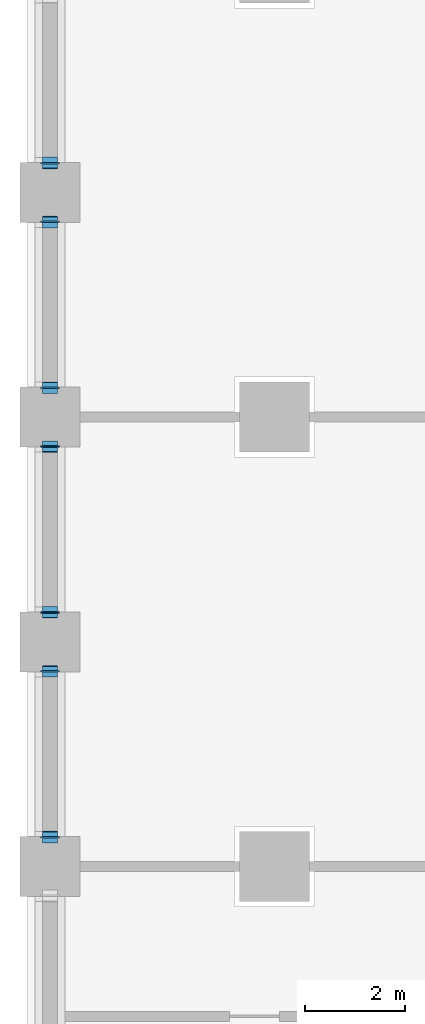
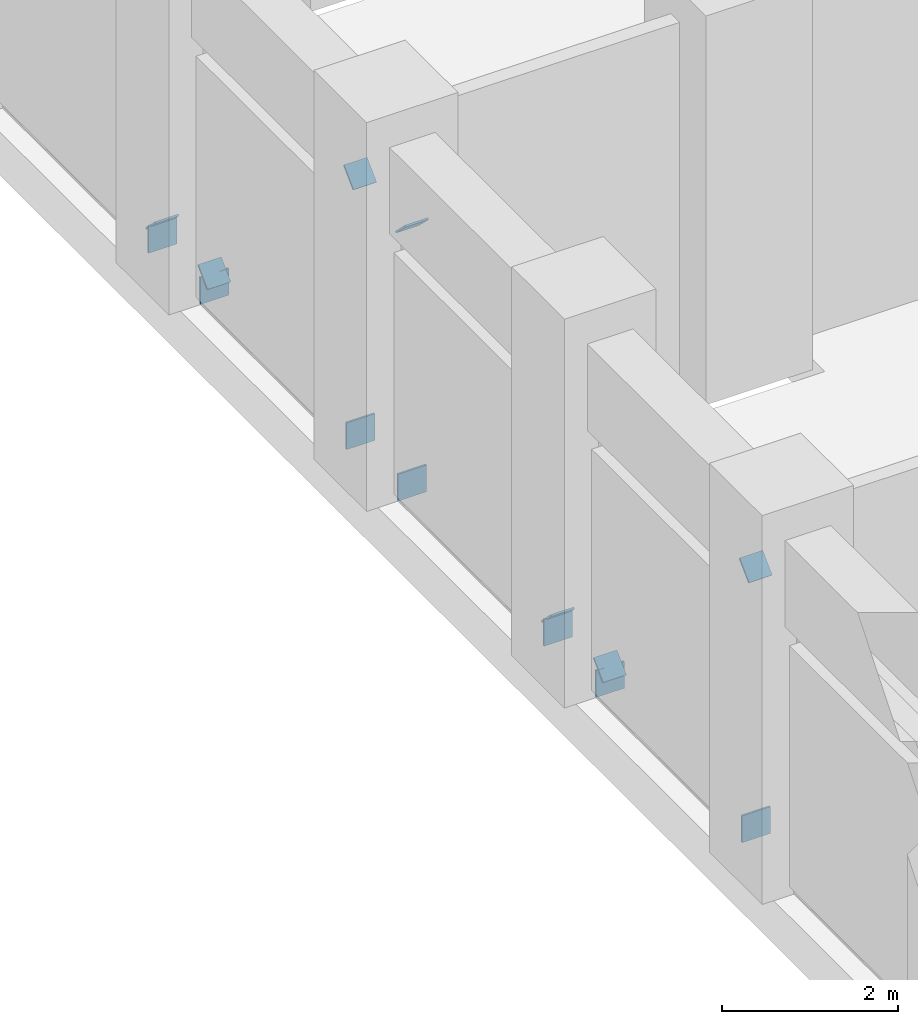
# One storey, part 9 of 20: 14 discrete accessories.
"""IFC4 building model written with IfcOpenShell, lengths in metres."""

import ifcopenshell
import ifcopenshell.guid

model = None  # the IFC model being written
_history = None  # IfcOwnerHistory: only IFC2X3 demands one
_inside = {}  # id of a spatial element -> (the spatial element, [elements in it])
_under = {}  # id of a project, library or spatial element -> (it, [spatial elements below it])
_declared = {}  # id of a project -> (the project, [libraries it declares])
_typed = {}  # id of a type object -> (the type object, [elements of that type])
_made_of = {}  # id of a material, layer set ... -> (it, [elements and type objects made of it])


def new_model(schema):
    """Start an empty IFC model of exactly this schema.

    Asked for "IFC4X3", IfcOpenShell would pick the latest addendum, in which some entities
    have other attributes; the version numbers below select the first issue.
    IFC2X3 requires an IfcOwnerHistory on every rooted entity: one is made here for all.
    """
    global model, _history
    if schema == "IFC4X3":
        model = ifcopenshell.file(schema_version=(4, 3, 0, 0))
    else:
        model = ifcopenshell.file(schema=schema)
    _inside.clear()
    _under.clear()
    _declared.clear()
    _typed.clear()
    _made_of.clear()
    _history = None
    if model.schema == "IFC2X3":
        org = make("IfcOrganization", Name="unknown")
        user = make(
            "IfcPersonAndOrganization",
            ThePerson=make("IfcPerson", FamilyName="unknown"),
            TheOrganization=org,
        )
        app = make(
            "IfcApplication",
            ApplicationDeveloper=org,
            Version="unknown",
            ApplicationFullName="unknown",
            ApplicationIdentifier="unknown",
        )
        _history = make(
            "IfcOwnerHistory",
            OwningUser=user,
            OwningApplication=app,
            ChangeAction="ADDED",
            CreationDate=0,
        )
    return model


def make(cls, **values):
    """One entity of the class cls with the attributes given. An attribute that is None is left unset."""
    return model.create_entity(
        cls, **{name: value for name, value in values.items() if value is not None}
    )


def rooted(cls, **values):
    """An entity with a GlobalId (a new one), such as an element, a storey or a relation."""
    return make(cls, GlobalId=ifcopenshell.guid.new(), OwnerHistory=_history, **values)


def si_unit(unit_type, name, prefix=None):
    """IfcSIUnit, for example si_unit("LENGTHUNIT", "METRE", prefix="MILLI")."""
    return make("IfcSIUnit", UnitType=unit_type, Prefix=prefix, Name=name)


def assignment(units):
    """IfcUnitAssignment: the units of a project."""
    return None if units is None else make("IfcUnitAssignment", Units=units)


def point(xyz):
    """IfcCartesianPoint."""
    return None if xyz is None else make("IfcCartesianPoint", Coordinates=xyz)


def direction(xyz):
    """IfcDirection."""
    return None if xyz is None else make("IfcDirection", DirectionRatios=xyz)


def frame(location, z_axis=None, x_axis=None):
    """IfcAxis2Placement3D, a coordinate frame: its origin and axes. An axis left out is left unset."""
    return make(
        "IfcAxis2Placement3D",
        Location=point(location),
        Axis=direction(z_axis),
        RefDirection=direction(x_axis),
    )


def frame_2d(location, x_axis=None):
    """IfcAxis2Placement2D, a coordinate frame in the plane: its origin and x axis."""
    return make(
        "IfcAxis2Placement2D", Location=point(location), RefDirection=direction(x_axis)
    )


def origin():
    """The frame at (0, 0, 0) with its axes left unset."""
    return frame((0.0, 0.0, 0.0))


def origin_2d():
    """The frame at (0, 0) in the plane with its x axis left unset."""
    return frame_2d((0.0, 0.0))


def place(relative_to, where):
    """IfcLocalPlacement: puts the frame where relative to a parent placement (None: the world)."""
    return make(
        "IfcLocalPlacement", PlacementRelTo=relative_to, RelativePlacement=where
    )


def context(
    kind, dimensions, precision=None, world=None, true_north=None, identifier=None
):
    """IfcGeometricRepresentationContext, for example the 3D "Model" context."""
    return make(
        "IfcGeometricRepresentationContext",
        ContextIdentifier=identifier,
        ContextType=kind,
        CoordinateSpaceDimension=dimensions,
        Precision=precision,
        WorldCoordinateSystem=world,
        TrueNorth=true_north,
    )


def subcontext(parent, identifier, kind, view, scale=None):
    """IfcGeometricRepresentationSubContext, for example "Body" below "Model"."""
    return make(
        "IfcGeometricRepresentationSubContext",
        ContextIdentifier=identifier,
        ContextType=kind,
        ParentContext=parent,
        TargetScale=scale,
        TargetView=view,
    )


def project(units=None, contexts=None):
    """IfcProject with its units and contexts."""
    return rooted(
        "IfcProject",
        Name="project",
        RepresentationContexts=contexts,
        UnitsInContext=assignment(units),
    )


def spatial(cls, under=None, at=None, **own):
    """A site, building, storey or space (cls), placed at a placement, below another one or the project."""
    s = rooted(cls, ObjectPlacement=at, **own)
    if under is not None:
        _under.setdefault(under.id(), (under, []))[1].append(s)
    return s


def profile(cls, at=None, kind="AREA", **sizes):
    """A parametric profile (cls). Its sizes go by their IFC names, for example OverallWidth=200.0."""
    return make(cls, ProfileType=kind, Position=at, **sizes)


def rectangle(**sizes):
    """IfcRectangleProfileDef."""
    return profile("IfcRectangleProfileDef", **sizes)


def extrude(swept, where, along, depth):
    """IfcExtrudedAreaSolid: the profile swept, set in the frame where, extruded along a direction by depth."""
    return make(
        "IfcExtrudedAreaSolid",
        SweptArea=swept,
        Position=where,
        ExtrudedDirection=direction(along),
        Depth=depth,
    )


def shape(context_of_items, identifier, shape_type, items):
    """IfcShapeRepresentation: the items that make up one representation, for example the "Body"."""
    return make(
        "IfcShapeRepresentation",
        ContextOfItems=context_of_items,
        RepresentationIdentifier=identifier,
        RepresentationType=shape_type,
        Items=items,
    )


def material(Name=None, Category=None):
    """IfcMaterial."""
    return make("IfcMaterial", Name=Name, Category=Category)


def material_profile(
    of_material, cross_section, Name=None, Category=None, Priority=None
):
    """IfcMaterialProfile: a cross section and its material."""
    return make(
        "IfcMaterialProfile",
        Name=Name,
        Material=of_material,
        Profile=cross_section,
        Priority=Priority,
        Category=Category,
    )


def profile_set(profiles, Name=None, composite=None):
    """IfcMaterialProfileSet."""
    return make(
        "IfcMaterialProfileSet",
        Name=Name,
        MaterialProfiles=profiles,
        CompositeProfile=composite,
    )


def made_of(thing, what):
    """Note that an element or type object is made of a material, layer set ...; save() writes the relation."""
    if what is not None:
        _made_of.setdefault(what.id(), (what, []))[1].append(thing)
    return thing


def type_object(cls, material=None, **own):
    """A type object (cls), such as IfcWallType, which elements share."""
    return made_of(rooted(cls, **own), material)


def element(
    cls,
    number,
    at=None,
    inside=None,
    cuts=None,
    type_object=None,
    material=None,
    context=None,
    identifier="Body",
    shape_type=None,
    held_by="IfcProductDefinitionShape",
    body=None,
    shapes=None,
    **own,
):
    """One element of the class cls, such as IfcWall. Its Tag is "e" and its number.

    at: its placement. inside: the storey or other place that contains it. cuts: it is an
    opening in that element (IfcRelVoidsElement). A single representation is given by context,
    identifier, shape_type and body (its items); several are given by shapes. held_by: the class
    of the entity that holds the representations. save() writes the other relations.
    """
    e = rooted(cls, Tag="e%d" % number, ObjectPlacement=at, **own)
    if body is not None:
        shapes = [shape(context, identifier, shape_type, body)]
    if shapes is not None:
        e.Representation = make(held_by, Representations=shapes)
    if inside is not None:
        _inside.setdefault(inside.id(), (inside, []))[1].append(e)
    if cuts is not None:
        rooted(
            "IfcRelVoidsElement", RelatingBuildingElement=cuts, RelatedOpeningElement=e
        )
    if type_object is not None:
        _typed.setdefault(type_object.id(), (type_object, []))[1].append(e)
    return made_of(e, material)


def aggregate(whole, parts):
    """IfcRelAggregates: a whole, such as a stair, and the parts it consists of."""
    return rooted("IfcRelAggregates", RelatingObject=whole, RelatedObjects=parts)


def save(model, path):
    """Write the relations noted so far, then the file.

    IfcRelAggregates (storeys below a building ...), IfcRelContainedInSpatialStructure (elements
    in a storey), IfcRelDefinesByType, IfcRelAssociatesMaterial and IfcRelDeclares: one each for
    every whole, place, type object, material and project.
    """
    for whole, parts in _under.values():
        aggregate(whole, parts)
    for where, things in _inside.values():
        rooted(
            "IfcRelContainedInSpatialStructure",
            RelatedElements=things,
            RelatingStructure=where,
        )
    for kind, things in _typed.values():
        rooted("IfcRelDefinesByType", RelatedObjects=things, RelatingType=kind)
    for what, things in _made_of.values():
        rooted("IfcRelAssociatesMaterial", RelatedObjects=things, RelatingMaterial=what)
    for by, libraries in _declared.values():
        rooted("IfcRelDeclares", RelatingContext=by, RelatedDefinitions=libraries)
    model.write(path)


model = new_model("IFC4")

# Units and contexts
model_context = context("Model", 3, precision=1e-05, world=origin(), true_north=direction((0.0, 1.0)))
body_context = subcontext(model_context, "Body", "Model", "MODEL_VIEW")
ifc_project = project(units=[si_unit("LENGTHUNIT", "METRE"), si_unit("AREAUNIT", "SQUARE_METRE"), si_unit("VOLUMEUNIT", "CUBIC_METRE"), si_unit("PLANEANGLEUNIT", "RADIAN"), si_unit("MASSUNIT", "GRAM", prefix="KILO")], contexts=[model_context])

# Site, building, storey
site_placement = place(None, origin())
site = spatial("IfcSite", under=ifc_project, at=site_placement, CompositionType="ELEMENT")
building_placement = place(site_placement, origin())
building = spatial("IfcBuilding", under=site, at=building_placement, Name="Corbel Stack Research Tower", CompositionType="ELEMENT")
storey_placement = place(building_placement, frame((0.0, 0.0, 76.60009765625)))
storey = spatial("IfcBuildingStorey", under=building, at=storey_placement, Name="L17", CompositionType="ELEMENT", Elevation=76.60009765625)

# Discrete accessories
ifc_material_1 = material(Name="Steel S355", Category="steel")
ifc_material_profile_1 = material_profile(ifc_material_1, rectangle(XDim=0.304931640625, YDim=0.304931640625, at=origin_2d()), Name="End plate 305x305x25")
ifc_profile_set_1 = profile_set([ifc_material_profile_1], Name="Steel S355")
discrete_accessory_type_1 = type_object("IfcDiscreteAccessoryType", Name="End plate 305x305x25", PredefinedType="ANCHORPLATE", material=ifc_profile_set_1)
for number, where, z_axis, x_axis, name in (
    (1, (-22.5, 5.10009765625, 0.371826171875), (0.0, -0.702213483406, -0.711966448453), (1.0, 0.0, 0.0), "Belt truss end plate L17-36d1"),
    (2, (-22.5, 3.89990234375, 0.371826171875), (0.0, 0.702213483406, -0.711966448453), (-1.0, 0.0, 0.0), "Belt truss end plate L17-37d1"),
    (3, (-22.5, 0.60009765625, 3.75), (0.0, -0.702213483406, 0.711966448453), (1.0, 0.0, 0.0), "Belt truss end plate L17-37d2"),
    (4, (-22.5, -3.89990234375, 0.371826171875), (0.0, -0.702213483406, -0.711966448453), (1.0, 0.0, 0.0), "Belt truss end plate L17-38d1"),
    (5, (-22.5, -0.60009765625, 3.75), (0.0, 0.702213483406, 0.711966448453), (-1.0, 0.0, 0.0), "Belt truss end plate L17-38d2"),
    (6, (-22.5, -5.10009765625, 0.371826171875), (0.0, 0.702213483406, -0.711966448453), (-1.0, 0.0, 0.0), "Belt truss end plate L17-39d1"),
    (7, (-22.5, -8.39990234375, 3.75), (0.0, -0.702213483406, 0.711966448453), (1.0, 0.0, 0.0), "Belt truss end plate L17-39d2"),
):
    element("IfcDiscreteAccessory", number, at=place(storey_placement, frame(where, z_axis=z_axis, x_axis=x_axis)), inside=storey, type_object=discrete_accessory_type_1, Name=name, PredefinedType="ANCHORPLATE", context=body_context, shape_type="SweptSolid", body=[
        extrude(rectangle(XDim=0.304931640625, YDim=0.304931640625, at=origin_2d()), origin(), (0.0, 0.0, 1.0), 0.025146484375),
    ])
ifc_material_2 = material(Name="Steel S355", Category="steel")
ifc_material_profile_2 = material_profile(ifc_material_2, rectangle(XDim=0.3740234375, YDim=0.3720703125, at=origin_2d()), Name="End plate 374x372x25")
ifc_profile_set_2 = profile_set([ifc_material_profile_2], Name="Steel S355")
discrete_accessory_type_2 = type_object("IfcDiscreteAccessoryType", Name="End plate 374x372x25", PredefinedType="ANCHORPLATE", material=ifc_profile_set_2)
for number, where, z_axis, x_axis, name in (
    (8, (-22.5, 5.10009765625, 0.185791015625), (0.0, -1.0, 0.0), (1.0, 0.0, 0.0), "Belt truss end plate L17-36c2"),
    (9, (-22.5, 3.89990234375, 0.185791015625), (0.0, 1.0, 0.0), (-1.0, 0.0, 0.0), "Belt truss end plate L17-37c1"),
    (10, (-22.5, 0.60009765625, 0.185791015625), (0.0, -1.0, 0.0), (1.0, 0.0, 0.0), "Belt truss end plate L17-37c2"),
    (11, (-22.5, -0.60009765625, 0.185791015625), (0.0, 1.0, 0.0), (-1.0, 0.0, 0.0), "Belt truss end plate L17-38c1"),
    (12, (-22.5, -3.89990234375, 0.185791015625), (0.0, -1.0, 0.0), (1.0, 0.0, 0.0), "Belt truss end plate L17-38c2"),
    (13, (-22.5, -5.10009765625, 0.185791015625), (0.0, 1.0, 0.0), (-1.0, 0.0, 0.0), "Belt truss end plate L17-39c1"),
    (14, (-22.5, -8.39990234375, 0.185791015625), (0.0, -1.0, 0.0), (1.0, 0.0, 0.0), "Belt truss end plate L17-39c2"),
):
    element("IfcDiscreteAccessory", number, at=place(storey_placement, frame(where, z_axis=z_axis, x_axis=x_axis)), inside=storey, type_object=discrete_accessory_type_2, Name=name, PredefinedType="ANCHORPLATE", context=body_context, shape_type="SweptSolid", body=[
        extrude(rectangle(XDim=0.3740234375, YDim=0.3720703125, at=origin_2d()), origin(), (0.0, 0.0, 1.0), 0.025146484375),
    ])

save(model, "model.ifc")
